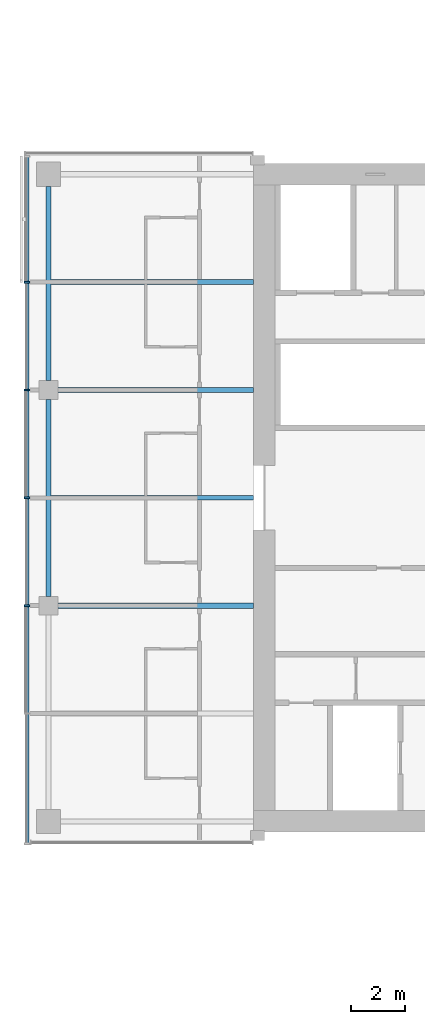
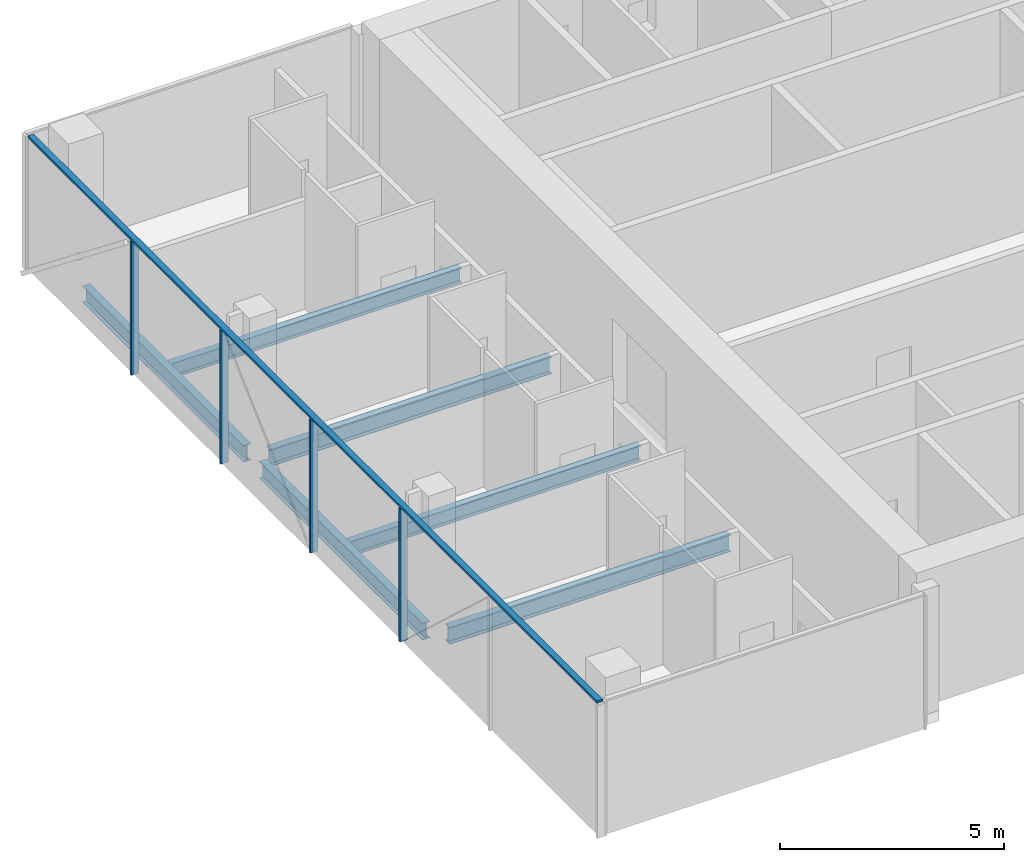
# One storey, part 6 of 29: 6 beams, 5 members, 1 element without a shape of its own.
"""IFC4 building model written with IfcOpenShell, lengths in metres."""

from ifc_helpers import new_model, si_unit, direction, frame, origin, origin_2d, place, context, subcontext, project, spatial, rectangle, i_section, extrude, material, material_profile, profile_set, type_object, element, aggregate, save


model = new_model("IFC4")

# Units and contexts
model_context = context("Model", 3, precision=1e-05, world=origin(), true_north=direction((0.0, 1.0)))
body_context = subcontext(model_context, "Body", "Model", "MODEL_VIEW")
ifc_project = project(units=[si_unit("LENGTHUNIT", "METRE"), si_unit("AREAUNIT", "SQUARE_METRE"), si_unit("VOLUMEUNIT", "CUBIC_METRE"), si_unit("PLANEANGLEUNIT", "RADIAN"), si_unit("MASSUNIT", "GRAM", prefix="KILO")], contexts=[model_context])

# Site, building, storey
site_placement = place(None, origin())
site = spatial("IfcSite", under=ifc_project, at=site_placement, CompositionType="ELEMENT")
building_placement = place(site_placement, origin())
building = spatial("IfcBuilding", under=site, at=building_placement, Name="Crosswind Convention Tower", CompositionType="ELEMENT")
storey_placement = place(building_placement, frame((0.0, 0.0, 53.5)))
storey = spatial("IfcBuildingStorey", under=building, at=storey_placement, Name="L07", CompositionType="ELEMENT", Elevation=53.5)

# Beams
ifc_material_1 = material(Name="Steel S355", Category="steel")
ifc_material_profile_1 = material_profile(ifc_material_1, i_section(OverallWidth=0.1904296875, OverallDepth=0.457275390625, WebThickness=0.009033203125, FlangeThickness=0.014404296875, FilletRadius=0.01025390625, at=origin_2d()), Name="UB 457x191x75")
ifc_profile_set_1 = profile_set([ifc_material_profile_1], Name="Steel S355")
beam_type_1 = type_object("IfcBeamType", Name="Edge beam UB 457x191x75", PredefinedType="SPANDREL", material=ifc_profile_set_1)
beam_1_placement = place(storey_placement, frame((89.0, 96.35009765625, -0.508544921875), z_axis=(0.0, 1.0, 0.0), x_axis=(-1.0, 0.0, 0.0)))
element("IfcBeam", 1, at=beam_1_placement, inside=storey, type_object=beam_type_1, Name="B17 L07 edge beam 2", PredefinedType="SPANDREL", context=body_context, shape_type="SweptSolid", body=[
    extrude(i_section(OverallWidth=0.1904296875, OverallDepth=0.457275390625, WebThickness=0.009033203125, FlangeThickness=0.014404296875, FilletRadius=0.01025390625, at=origin_2d()), origin(), (0.0, 0.0, 1.0), 7.2998046875),
])
beam_2_placement = place(storey_placement, frame((89.0, 104.35009765625, -0.508544921875), z_axis=(0.0, 1.0, 0.0), x_axis=(-1.0, 0.0, 0.0)))
element("IfcBeam", 2, at=beam_2_placement, inside=storey, type_object=beam_type_1, Name="B17 L07 edge beam 3", PredefinedType="SPANDREL", context=body_context, shape_type="SweptSolid", body=[
    extrude(i_section(OverallWidth=0.1904296875, OverallDepth=0.457275390625, WebThickness=0.009033203125, FlangeThickness=0.014404296875, FilletRadius=0.01025390625, at=origin_2d()), origin(), (0.0, 0.0, 1.0), 7.199951171875),
])
ifc_material_profile_2 = material_profile(ifc_material_1, i_section(OverallWidth=0.19189453125, OverallDepth=0.463623046875, WebThickness=0.010498046875, FlangeThickness=0.017578125, FilletRadius=0.01025390625, at=origin_2d()), Name="UB 457x191x90")
ifc_profile_set_2 = profile_set([ifc_material_profile_2], Name="Steel S355")
beam_type_2 = type_object("IfcBeamType", Name="Girder at core wall UB 457x191x90", PredefinedType="BEAM", material=ifc_profile_set_2)
for number, where, z_axis, x_axis, name in (
    (3, (89.35009765625, 96.0, -0.51171875), (1.0, 0.0, 0.0), (0.0, 1.0, 0.0), "B24 L07 girder at core wall 1"),
    (4, (89.35009765625, 104.0, -0.51171875), (1.0, 0.0, 0.0), (0.0, 1.0, 0.0), "B24 L07 girder at core wall 2"),
):
    element("IfcBeam", number, at=place(storey_placement, frame(where, z_axis=z_axis, x_axis=x_axis)), inside=storey, type_object=beam_type_2, Name=name, PredefinedType="BEAM", context=body_context, shape_type="SweptSolid", body=[
        extrude(i_section(OverallWidth=0.19189453125, OverallDepth=0.463623046875, WebThickness=0.010498046875, FlangeThickness=0.017578125, FilletRadius=0.01025390625, at=origin_2d()), origin(), (0.0, 0.0, 1.0), 7.25),
    ])

# Curtain wall, members
ifc_material_2 = material(Name="Aluminium unitised curtain wall", Category="aluminium")
curtain_wall_type = type_object("IfcCurtainWallType", Name="HOTEL UNITISED WALL 200", PredefinedType="USERDEFINED", material=ifc_material_2)
curtain_wall_placement = place(storey_placement, origin())
curtain_wall = element("IfcCurtainWall", 5, at=curtain_wall_placement, inside=storey, type_object=curtain_wall_type, Name="CW2 L07 W-TIP 1", ObjectType="UNITISED", PredefinedType="USERDEFINED")
ifc_material_3 = material(Name="Aluminium mullion", Category="aluminium")
ifc_material_profile_3 = material_profile(ifc_material_3, rectangle(XDim=0.199951171875, YDim=0.06494140625, at=origin_2d()), Name="AL 200X65")
ifc_profile_set_3 = profile_set([ifc_material_profile_3], Name="Aluminium mullion")
member_type_1 = type_object("IfcMemberType", Name="MULLION 65X200", PredefinedType="MULLION", material=ifc_profile_set_3)
member_1_placement = place(storey_placement, frame((88.199951171875, 108.0, -0.280029296875), z_axis=(0.0, 0.0, 1.0), x_axis=(-1.0, 0.0, 0.0)))
member_1 = element("IfcMember", 6, at=member_1_placement, type_object=member_type_1, Name="CW2 mullion 2", PredefinedType="MULLION", context=body_context, shape_type="SweptSolid", body=[
    extrude(rectangle(XDim=0.199951171875, YDim=0.06494140625, at=origin_2d()), origin(), (0.0, 0.0, 1.0), 3.635009765625),
])
member_2_placement = place(storey_placement, frame((88.199951171875, 104.0, -0.280029296875), z_axis=(0.0, 0.0, 1.0), x_axis=(-1.0, 0.0, 0.0)))
member_2 = element("IfcMember", 7, at=member_2_placement, type_object=member_type_1, Name="CW2 mullion 3", PredefinedType="MULLION", context=body_context, shape_type="SweptSolid", body=[
    extrude(rectangle(XDim=0.199951171875, YDim=0.06494140625, at=origin_2d()), origin(), (0.0, 0.0, 1.0), 3.635009765625),
])
member_3_placement = place(storey_placement, frame((88.199951171875, 100.0, -0.280029296875), z_axis=(0.0, 0.0, 1.0), x_axis=(-1.0, 0.0, 0.0)))
member_3 = element("IfcMember", 8, at=member_3_placement, type_object=member_type_1, Name="CW2 mullion 4", PredefinedType="MULLION", context=body_context, shape_type="SweptSolid", body=[
    extrude(rectangle(XDim=0.199951171875, YDim=0.06494140625, at=origin_2d()), origin(), (0.0, 0.0, 1.0), 3.635009765625),
])
member_4_placement = place(storey_placement, frame((88.199951171875, 96.0, -0.280029296875), z_axis=(0.0, 0.0, 1.0), x_axis=(-1.0, 0.0, 0.0)))
member_4 = element("IfcMember", 9, at=member_4_placement, type_object=member_type_1, Name="CW2 mullion 5", PredefinedType="MULLION", context=body_context, shape_type="SweptSolid", body=[
    extrude(rectangle(XDim=0.199951171875, YDim=0.06494140625, at=origin_2d()), origin(), (0.0, 0.0, 1.0), 3.635009765625),
])

# Beams
ifc_material_profile_4 = material_profile(ifc_material_1, i_section(OverallWidth=0.177734375, OverallDepth=0.406494140625, WebThickness=0.0078125, FlangeThickness=0.0126953125, FilletRadius=0.01025390625, at=origin_2d()), Name="UB 406x178x60")
ifc_profile_set_4 = profile_set([ifc_material_profile_4], Name="Steel S355")
beam_type_3 = type_object("IfcBeamType", Name="Secondary beam UB 406x178x60", PredefinedType="JOIST", material=ifc_profile_set_4)
for number, where, z_axis, x_axis, name in (
    (10, (89.09521484375, 100.0, -0.483154296875), (1.0, 0.0, 0.0), (0.0, 1.0, 0.0), "B10 L07 secondary beam 2"),
    (11, (89.09521484375, 108.0, -0.483154296875), (1.0, 0.0, 0.0), (0.0, 1.0, 0.0), "B10 L07 secondary beam 3"),
):
    element("IfcBeam", number, at=place(storey_placement, frame(where, z_axis=z_axis, x_axis=x_axis)), inside=storey, type_object=beam_type_3, Name=name, PredefinedType="JOIST", context=body_context, shape_type="SweptSolid", body=[
        extrude(i_section(OverallWidth=0.177734375, OverallDepth=0.406494140625, WebThickness=0.0078125, FlangeThickness=0.0126953125, FilletRadius=0.01025390625, at=origin_2d()), origin(), (0.0, 0.0, 1.0), 7.5048828125),
    ])

# Member
ifc_material_4 = material(Name="Aluminium transom", Category="aluminium")
ifc_material_profile_5 = material_profile(ifc_material_4, rectangle(XDim=0.14990234375, YDim=0.06494140625, at=origin_2d()), Name="AL 150X65")
ifc_profile_set_5 = profile_set([ifc_material_profile_5], Name="Aluminium transom")
member_type_2 = type_object("IfcMemberType", Name="TRANSOM 65X150", PredefinedType="USERDEFINED", material=ifc_profile_set_5)
member_5_placement = place(storey_placement, frame((88.199951171875, 112.635009765625, 3.387451171875), z_axis=(0.0, -1.0, 0.0), x_axis=(1.0, 0.0, 0.0)))
member_5 = element("IfcMember", 12, at=member_5_placement, type_object=member_type_2, Name="CW2 transom", ObjectType="TRANSOM", PredefinedType="USERDEFINED", context=body_context, shape_type="SweptSolid", body=[
    extrude(rectangle(XDim=0.14990234375, YDim=0.06494140625, at=origin_2d()), origin(), (0.0, 0.0, 1.0), 25.429931640625),
])

aggregate(curtain_wall, [member_1, member_2, member_3, member_4, member_5])

save(model, "model.ifc")
